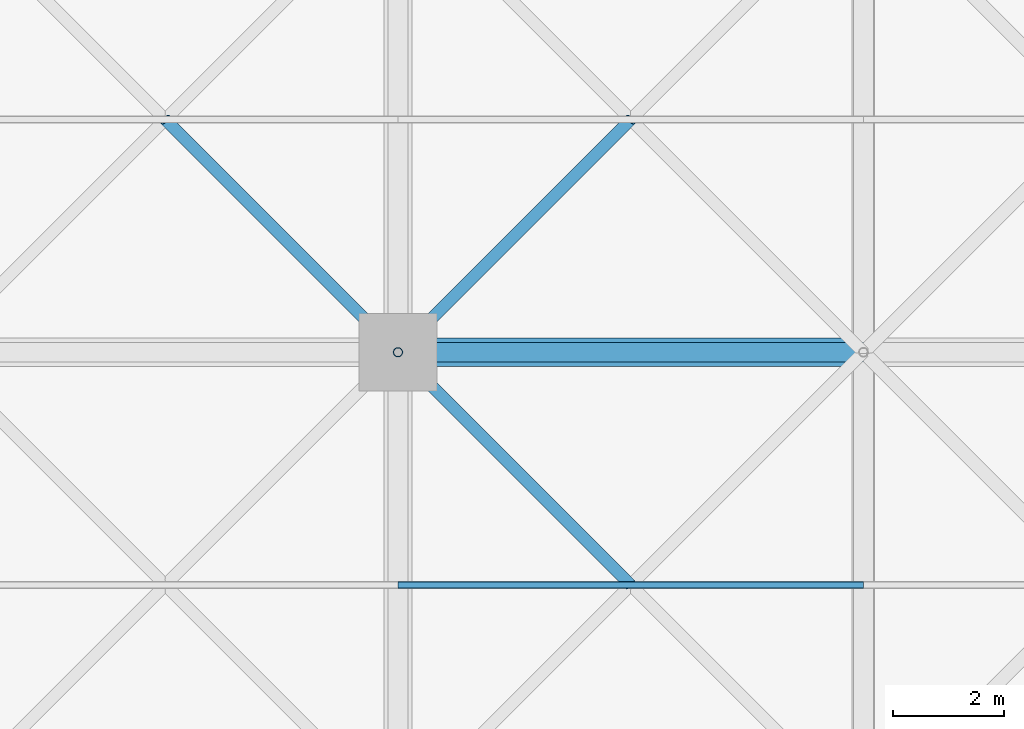
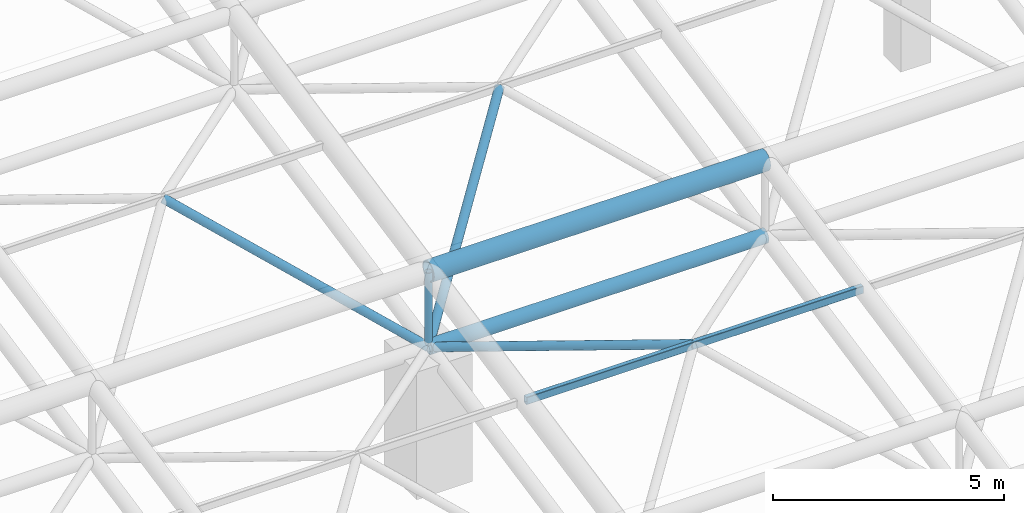
# One storey, part 16 of 81: 7 members.
"""IFC4 building model written with IfcOpenShell, lengths in metres."""

from ifc_helpers import new_model, si_unit, direction, frame, origin, origin_2d, place, context, subcontext, project, spatial, hollow_rectangle, hollow_circle, extrude, material, material_profile, profile_set, type_object, element, save


model = new_model("IFC4")

# Units and contexts
model_context = context("Model", 3, precision=1e-05, world=origin(), true_north=direction((0.0, 1.0)))
body_context = subcontext(model_context, "Body", "Model", "MODEL_VIEW")
ifc_project = project(units=[si_unit("LENGTHUNIT", "METRE"), si_unit("AREAUNIT", "SQUARE_METRE"), si_unit("VOLUMEUNIT", "CUBIC_METRE"), si_unit("PLANEANGLEUNIT", "RADIAN"), si_unit("MASSUNIT", "GRAM", prefix="KILO")], contexts=[model_context])

# Site, building, storey
site_placement = place(None, origin())
site = spatial("IfcSite", under=ifc_project, at=site_placement, CompositionType="ELEMENT")
building_placement = place(site_placement, origin())
building = spatial("IfcBuilding", under=site, at=building_placement, Name="Qawsi Khor Wholesale Market", CompositionType="ELEMENT")
storey_placement = place(building_placement, frame((0.0, 0.0, 16.199951171875)))
storey = spatial("IfcBuildingStorey", under=building, at=storey_placement, Name="L03", CompositionType="ELEMENT", Elevation=16.199951171875)

# Members
ifc_material = material(Name="Steel S355", Category="steel")
ifc_material_profile_1 = material_profile(ifc_material, hollow_circle(Radius=0.177734375, WallThickness=0.01611328125, at=origin_2d()), Name="CHS 355.6x16.0")
ifc_profile_set_1 = profile_set([ifc_material_profile_1], Name="Steel S355")
member_type_1 = type_object("IfcMemberType", Name="Space-Frame Bottom Chord CHS 355.6x16.0", PredefinedType="CHORD", material=ifc_profile_set_1)
member_1_placement = place(storey_placement, frame((58.800048828125, 58.800048828125, 3.3701171875), z_axis=(1.0, 0.0, 0.0), x_axis=(0.0, 1.0, 0.0)))
element("IfcMember", 1, at=member_1_placement, inside=storey, type_object=member_type_1, Name="Space frame bottom chord X WH (7,7)", PredefinedType="CHORD", context=body_context, shape_type="SweptSolid", body=[
    extrude(hollow_circle(Radius=0.177734375, WallThickness=0.01611328125, at=origin_2d()), origin(), (0.0, 0.0, 1.0), 8.39990234375),
])
ifc_material_profile_2 = material_profile(ifc_material, hollow_rectangle(XDim=0.1201171875, YDim=0.199951171875, WallThickness=0.008056640625, InnerFilletRadius=0.008056640625, OuterFilletRadius=0.01611328125, at=origin_2d()), Name="RHS 200x120x8.0")
ifc_profile_set_2 = profile_set([ifc_material_profile_2], Name="Steel S355")
member_type_2 = type_object("IfcMemberType", Name="Space-Frame Heavy Purlin RHS 200x120x8.0", PredefinedType="PURLIN", material=ifc_profile_set_2)
member_2_placement = place(storey_placement, frame((58.800048828125, 54.60009765625, 4.52001953125), z_axis=(1.0, 0.0, 0.0), x_axis=(0.0, 1.0, 0.0)))
element("IfcMember", 2, at=member_2_placement, inside=storey, type_object=member_type_2, Name="Space frame purlin WH (7,6)", PredefinedType="PURLIN", context=body_context, shape_type="SweptSolid", body=[
    extrude(hollow_rectangle(XDim=0.1201171875, YDim=0.199951171875, WallThickness=0.008056640625, InnerFilletRadius=0.008056640625, OuterFilletRadius=0.01611328125, at=origin_2d()), origin(), (0.0, 0.0, 1.0), 8.39990234375),
])
ifc_material_profile_3 = material_profile(ifc_material, hollow_circle(Radius=0.109619140625, WallThickness=0.010009765625, at=origin_2d()), Name="CHS 219.1x10.0")
ifc_profile_set_3 = profile_set([ifc_material_profile_3], Name="Steel S355")
member_type_3 = type_object("IfcMemberType", Name="Space-Frame Inner Diagonal CHS 219.1x10.0", PredefinedType="RAFTER", material=ifc_profile_set_3)
member_3_placement = place(storey_placement, frame((58.800048828125, 58.800048828125, 3.3701171875), z_axis=(-0.637521961484, 0.637521961484, 0.432586982294), x_axis=(-0.707106781187, -0.707106781187, 0.0)))
element("IfcMember", 3, at=member_3_placement, inside=storey, type_object=member_type_3, Name="Space frame diagonal WH (6,7)-2", PredefinedType="RAFTER", context=body_context, shape_type="SweptSolid", body=[
    extrude(hollow_circle(Radius=0.109619140625, WallThickness=0.010009765625, at=origin_2d()), origin(), (0.0, 0.0, 1.0), 6.587890625),
])
member_4_placement = place(storey_placement, frame((58.800048828125, 58.800048828125, 3.3701171875), z_axis=(0.694216714393, -0.694216714393, 0.190069216113), x_axis=(0.707106781187, 0.707106781187, 0.0)))
element("IfcMember", 4, at=member_4_placement, inside=storey, type_object=member_type_3, Name="Space frame diagonal WH (7,6)-4", PredefinedType="RAFTER", context=body_context, shape_type="SweptSolid", body=[
    extrude(hollow_circle(Radius=0.109619140625, WallThickness=0.010009765625, at=origin_2d()), origin(), (0.0, 0.0, 1.0), 6.0498046875),
])
member_5_placement = place(storey_placement, frame((58.800048828125, 58.800048828125, 3.3701171875), z_axis=(0.637521961484, 0.637521961484, 0.432586982294), x_axis=(-0.707106781187, 0.707106781187, 0.0)))
element("IfcMember", 5, at=member_5_placement, inside=storey, type_object=member_type_3, Name="Space frame diagonal WH (7,7)-1", PredefinedType="RAFTER", context=body_context, shape_type="SweptSolid", body=[
    extrude(hollow_circle(Radius=0.109619140625, WallThickness=0.010009765625, at=origin_2d()), origin(), (0.0, 0.0, 1.0), 6.587890625),
])
ifc_material_profile_4 = material_profile(ifc_material, hollow_circle(Radius=0.25390625, WallThickness=0.02490234375, at=origin_2d()), Name="CHS 508.0x25.0")
ifc_profile_set_4 = profile_set([ifc_material_profile_4], Name="Steel S355")
member_type_4 = type_object("IfcMemberType", Name="Space-Frame Main Chord CHS 508.0x25.0", PredefinedType="CHORD", material=ifc_profile_set_4)
member_6_placement = place(storey_placement, frame((58.800048828125, 58.800048828125, 5.3701171875), z_axis=(1.0, 0.0, 0.0), x_axis=(0.0, 1.0, 0.0)))
element("IfcMember", 6, at=member_6_placement, inside=storey, type_object=member_type_4, Name="Space frame top chord X WH (7,7)", PredefinedType="CHORD", context=body_context, shape_type="SweptSolid", body=[
    extrude(hollow_circle(Radius=0.25390625, WallThickness=0.02490234375, at=origin_2d()), origin(), (0.0, 0.0, 1.0), 8.39990234375),
])
ifc_material_profile_5 = material_profile(ifc_material, hollow_circle(Radius=0.084228515625, WallThickness=0.008056640625, at=origin_2d()), Name="CHS 168.3x8.0")
ifc_profile_set_5 = profile_set([ifc_material_profile_5], Name="Steel S355")
member_type_5 = type_object("IfcMemberType", Name="Space-Frame Vertical Strut CHS 168.3x8.0", PredefinedType="STRUT", material=ifc_profile_set_5)
member_7_placement = place(storey_placement, frame((58.800048828125, 58.800048828125, 3.3701171875), z_axis=(0.0, 0.0, 1.0), x_axis=(1.0, 0.0, 0.0)))
element("IfcMember", 7, at=member_7_placement, inside=storey, type_object=member_type_5, Name="Space frame post WH (7,7)", PredefinedType="STRUT", context=body_context, shape_type="SweptSolid", body=[
    extrude(hollow_circle(Radius=0.084228515625, WallThickness=0.008056640625, at=origin_2d()), origin(), (0.0, 0.0, 1.0), 2.0),
])

save(model, "model.ifc")
